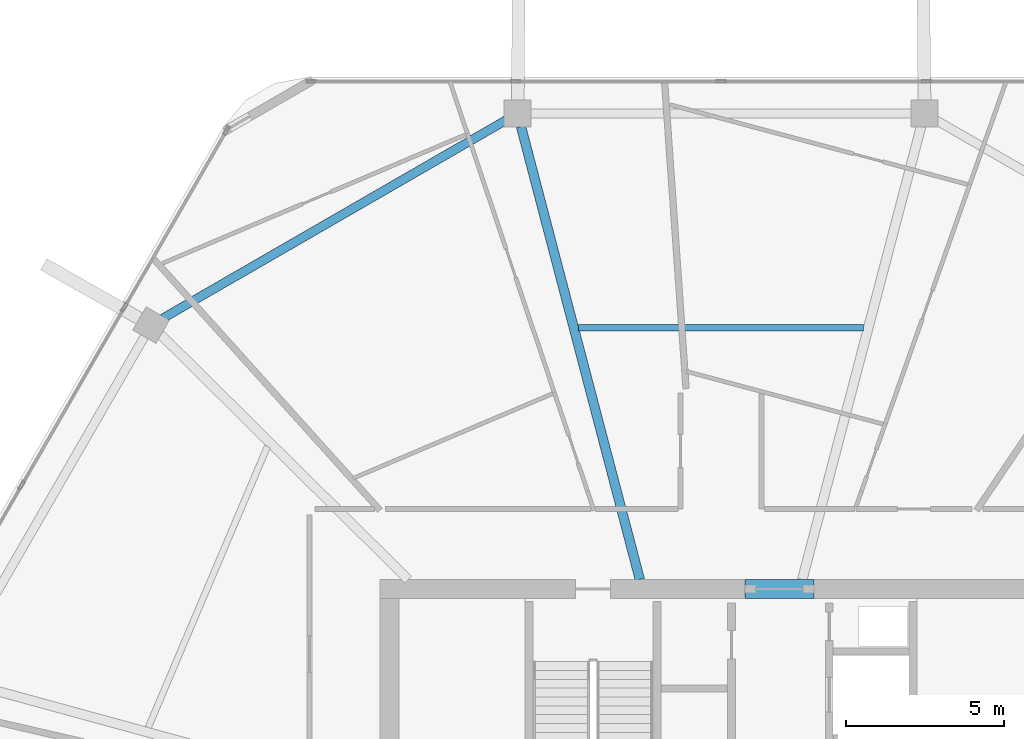
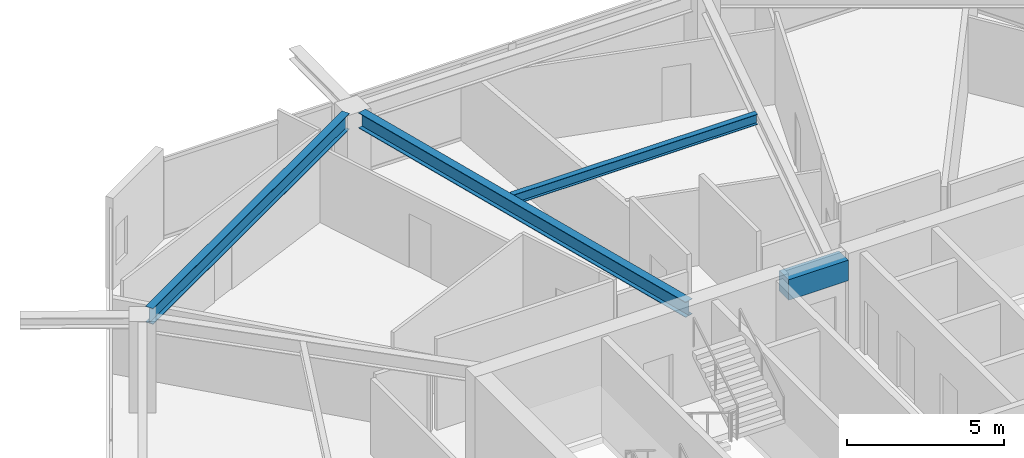
# One storey, part 12 of 26: 4 beams.
"""IFC4 building model written with IfcOpenShell, lengths in metres."""

import ifcopenshell
import ifcopenshell.guid

model = None  # the IFC model being written
_history = None  # IfcOwnerHistory: only IFC2X3 demands one
_inside = {}  # id of a spatial element -> (the spatial element, [elements in it])
_under = {}  # id of a project, library or spatial element -> (it, [spatial elements below it])
_declared = {}  # id of a project -> (the project, [libraries it declares])
_typed = {}  # id of a type object -> (the type object, [elements of that type])
_made_of = {}  # id of a material, layer set ... -> (it, [elements and type objects made of it])


def new_model(schema):
    """Start an empty IFC model of exactly this schema.

    Asked for "IFC4X3", IfcOpenShell would pick the latest addendum, in which some entities
    have other attributes; the version numbers below select the first issue.
    IFC2X3 requires an IfcOwnerHistory on every rooted entity: one is made here for all.
    """
    global model, _history
    if schema == "IFC4X3":
        model = ifcopenshell.file(schema_version=(4, 3, 0, 0))
    else:
        model = ifcopenshell.file(schema=schema)
    _inside.clear()
    _under.clear()
    _declared.clear()
    _typed.clear()
    _made_of.clear()
    _history = None
    if model.schema == "IFC2X3":
        org = make("IfcOrganization", Name="unknown")
        user = make(
            "IfcPersonAndOrganization",
            ThePerson=make("IfcPerson", FamilyName="unknown"),
            TheOrganization=org,
        )
        app = make(
            "IfcApplication",
            ApplicationDeveloper=org,
            Version="unknown",
            ApplicationFullName="unknown",
            ApplicationIdentifier="unknown",
        )
        _history = make(
            "IfcOwnerHistory",
            OwningUser=user,
            OwningApplication=app,
            ChangeAction="ADDED",
            CreationDate=0,
        )
    return model


def make(cls, **values):
    """One entity of the class cls with the attributes given. An attribute that is None is left unset."""
    return model.create_entity(
        cls, **{name: value for name, value in values.items() if value is not None}
    )


def rooted(cls, **values):
    """An entity with a GlobalId (a new one), such as an element, a storey or a relation."""
    return make(cls, GlobalId=ifcopenshell.guid.new(), OwnerHistory=_history, **values)


def si_unit(unit_type, name, prefix=None):
    """IfcSIUnit, for example si_unit("LENGTHUNIT", "METRE", prefix="MILLI")."""
    return make("IfcSIUnit", UnitType=unit_type, Prefix=prefix, Name=name)


def assignment(units):
    """IfcUnitAssignment: the units of a project."""
    return None if units is None else make("IfcUnitAssignment", Units=units)


def point(xyz):
    """IfcCartesianPoint."""
    return None if xyz is None else make("IfcCartesianPoint", Coordinates=xyz)


def direction(xyz):
    """IfcDirection."""
    return None if xyz is None else make("IfcDirection", DirectionRatios=xyz)


def frame(location, z_axis=None, x_axis=None):
    """IfcAxis2Placement3D, a coordinate frame: its origin and axes. An axis left out is left unset."""
    return make(
        "IfcAxis2Placement3D",
        Location=point(location),
        Axis=direction(z_axis),
        RefDirection=direction(x_axis),
    )


def frame_2d(location, x_axis=None):
    """IfcAxis2Placement2D, a coordinate frame in the plane: its origin and x axis."""
    return make(
        "IfcAxis2Placement2D", Location=point(location), RefDirection=direction(x_axis)
    )


def origin():
    """The frame at (0, 0, 0) with its axes left unset."""
    return frame((0.0, 0.0, 0.0))


def origin_2d():
    """The frame at (0, 0) in the plane with its x axis left unset."""
    return frame_2d((0.0, 0.0))


def place(relative_to, where):
    """IfcLocalPlacement: puts the frame where relative to a parent placement (None: the world)."""
    return make(
        "IfcLocalPlacement", PlacementRelTo=relative_to, RelativePlacement=where
    )


def context(
    kind, dimensions, precision=None, world=None, true_north=None, identifier=None
):
    """IfcGeometricRepresentationContext, for example the 3D "Model" context."""
    return make(
        "IfcGeometricRepresentationContext",
        ContextIdentifier=identifier,
        ContextType=kind,
        CoordinateSpaceDimension=dimensions,
        Precision=precision,
        WorldCoordinateSystem=world,
        TrueNorth=true_north,
    )


def subcontext(parent, identifier, kind, view, scale=None):
    """IfcGeometricRepresentationSubContext, for example "Body" below "Model"."""
    return make(
        "IfcGeometricRepresentationSubContext",
        ContextIdentifier=identifier,
        ContextType=kind,
        ParentContext=parent,
        TargetScale=scale,
        TargetView=view,
    )


def project(units=None, contexts=None):
    """IfcProject with its units and contexts."""
    return rooted(
        "IfcProject",
        Name="project",
        RepresentationContexts=contexts,
        UnitsInContext=assignment(units),
    )


def spatial(cls, under=None, at=None, **own):
    """A site, building, storey or space (cls), placed at a placement, below another one or the project."""
    s = rooted(cls, ObjectPlacement=at, **own)
    if under is not None:
        _under.setdefault(under.id(), (under, []))[1].append(s)
    return s


def profile(cls, at=None, kind="AREA", **sizes):
    """A parametric profile (cls). Its sizes go by their IFC names, for example OverallWidth=200.0."""
    return make(cls, ProfileType=kind, Position=at, **sizes)


def rectangle(**sizes):
    """IfcRectangleProfileDef."""
    return profile("IfcRectangleProfileDef", **sizes)


def i_section(**sizes):
    """IfcIShapeProfileDef."""
    return profile("IfcIShapeProfileDef", **sizes)


def extrude(swept, where, along, depth):
    """IfcExtrudedAreaSolid: the profile swept, set in the frame where, extruded along a direction by depth."""
    return make(
        "IfcExtrudedAreaSolid",
        SweptArea=swept,
        Position=where,
        ExtrudedDirection=direction(along),
        Depth=depth,
    )


def shape(context_of_items, identifier, shape_type, items):
    """IfcShapeRepresentation: the items that make up one representation, for example the "Body"."""
    return make(
        "IfcShapeRepresentation",
        ContextOfItems=context_of_items,
        RepresentationIdentifier=identifier,
        RepresentationType=shape_type,
        Items=items,
    )


def material(Name=None, Category=None):
    """IfcMaterial."""
    return make("IfcMaterial", Name=Name, Category=Category)


def material_profile(
    of_material, cross_section, Name=None, Category=None, Priority=None
):
    """IfcMaterialProfile: a cross section and its material."""
    return make(
        "IfcMaterialProfile",
        Name=Name,
        Material=of_material,
        Profile=cross_section,
        Priority=Priority,
        Category=Category,
    )


def profile_set(profiles, Name=None, composite=None):
    """IfcMaterialProfileSet."""
    return make(
        "IfcMaterialProfileSet",
        Name=Name,
        MaterialProfiles=profiles,
        CompositeProfile=composite,
    )


def made_of(thing, what):
    """Note that an element or type object is made of a material, layer set ...; save() writes the relation."""
    if what is not None:
        _made_of.setdefault(what.id(), (what, []))[1].append(thing)
    return thing


def type_object(cls, material=None, **own):
    """A type object (cls), such as IfcWallType, which elements share."""
    return made_of(rooted(cls, **own), material)


def element(
    cls,
    number,
    at=None,
    inside=None,
    cuts=None,
    type_object=None,
    material=None,
    context=None,
    identifier="Body",
    shape_type=None,
    held_by="IfcProductDefinitionShape",
    body=None,
    shapes=None,
    **own,
):
    """One element of the class cls, such as IfcWall. Its Tag is "e" and its number.

    at: its placement. inside: the storey or other place that contains it. cuts: it is an
    opening in that element (IfcRelVoidsElement). A single representation is given by context,
    identifier, shape_type and body (its items); several are given by shapes. held_by: the class
    of the entity that holds the representations. save() writes the other relations.
    """
    e = rooted(cls, Tag="e%d" % number, ObjectPlacement=at, **own)
    if body is not None:
        shapes = [shape(context, identifier, shape_type, body)]
    if shapes is not None:
        e.Representation = make(held_by, Representations=shapes)
    if inside is not None:
        _inside.setdefault(inside.id(), (inside, []))[1].append(e)
    if cuts is not None:
        rooted(
            "IfcRelVoidsElement", RelatingBuildingElement=cuts, RelatedOpeningElement=e
        )
    if type_object is not None:
        _typed.setdefault(type_object.id(), (type_object, []))[1].append(e)
    return made_of(e, material)


def aggregate(whole, parts):
    """IfcRelAggregates: a whole, such as a stair, and the parts it consists of."""
    return rooted("IfcRelAggregates", RelatingObject=whole, RelatedObjects=parts)


def save(model, path):
    """Write the relations noted so far, then the file.

    IfcRelAggregates (storeys below a building ...), IfcRelContainedInSpatialStructure (elements
    in a storey), IfcRelDefinesByType, IfcRelAssociatesMaterial and IfcRelDeclares: one each for
    every whole, place, type object, material and project.
    """
    for whole, parts in _under.values():
        aggregate(whole, parts)
    for where, things in _inside.values():
        rooted(
            "IfcRelContainedInSpatialStructure",
            RelatedElements=things,
            RelatingStructure=where,
        )
    for kind, things in _typed.values():
        rooted("IfcRelDefinesByType", RelatedObjects=things, RelatingType=kind)
    for what, things in _made_of.values():
        rooted("IfcRelAssociatesMaterial", RelatedObjects=things, RelatingMaterial=what)
    for by, libraries in _declared.values():
        rooted("IfcRelDeclares", RelatingContext=by, RelatedDefinitions=libraries)
    model.write(path)


model = new_model("IFC4")

# Units and contexts
model_context = context("Model", 3, precision=1e-05, world=origin(), true_north=direction((0.0, 1.0)))
body_context = subcontext(model_context, "Body", "Model", "MODEL_VIEW")
ifc_project = project(units=[si_unit("LENGTHUNIT", "METRE"), si_unit("AREAUNIT", "SQUARE_METRE"), si_unit("VOLUMEUNIT", "CUBIC_METRE"), si_unit("PLANEANGLEUNIT", "RADIAN"), si_unit("MASSUNIT", "GRAM", prefix="KILO")], contexts=[model_context])

# Site, building, storey
site_placement = place(None, origin())
site = spatial("IfcSite", under=ifc_project, at=site_placement, CompositionType="ELEMENT")
building_placement = place(site_placement, origin())
building = spatial("IfcBuilding", under=site, at=building_placement, Name="Zuhravey Tower", CompositionType="ELEMENT")
storey_placement = place(building_placement, frame((0.0, 0.0, 295.800048828125)))
storey = spatial("IfcBuildingStorey", under=building, at=storey_placement, Name="L75", CompositionType="ELEMENT", Elevation=295.800048828125)

# Beams
ifc_material_1 = material(Name="Concrete C50/60", Category="concrete")
ifc_material_profile_1 = material_profile(ifc_material_1, rectangle(XDim=0.60009765625, YDim=0.800048828125, at=origin_2d()), Name="RC-600x800")
ifc_profile_set_1 = profile_set([ifc_material_profile_1], Name="Concrete C50/60")
beam_type_1 = type_object("IfcBeamType", Name="Core Coupling Beam RC600x800", PredefinedType="LINTEL", material=ifc_profile_set_1)
beam_1_placement = place(storey_placement, frame((36.751953125, 41.5, 3.14990234375), z_axis=(1.0, 0.0, 0.0), x_axis=(0.0, 1.0, 0.0)))
element("IfcBeam", 1, at=beam_1_placement, inside=storey, type_object=beam_type_1, Name="L75 CB2 BM-L75-CB-N", PredefinedType="LINTEL", context=body_context, shape_type="SweptSolid", body=[
    extrude(rectangle(XDim=0.60009765625, YDim=0.800048828125, at=origin_2d()), origin(), (0.0, 0.0, 1.0), 2.196044921875),
])
ifc_material_2 = material(Name="Steel SM355", Category="steel")
ifc_material_profile_2 = material_profile(ifc_material_2, i_section(OverallWidth=0.280029296875, OverallDepth=0.6201171875, WebThickness=0.011962890625, FlangeThickness=0.02001953125, at=origin_2d()), Name="H-620x280x12x20")
ifc_profile_set_2 = profile_set([ifc_material_profile_2], Name="Steel SM355")
beam_type_2 = type_object("IfcBeamType", Name="Perimeter Ring Beam H620x280", PredefinedType="BEAM", material=ifc_profile_set_2)
beam_2_placement = place(storey_placement, frame((29.1884765625, 56.339599609375, 3.239990234375), z_axis=(-0.866018312875, -0.500012281615, 0.0), x_axis=(0.500012281615, -0.866018312875, 0.0)))
element("IfcBeam", 2, at=beam_2_placement, inside=storey, type_object=beam_type_2, Name="L75 PB3 BM-L75-PB-04", PredefinedType="BEAM", context=body_context, shape_type="SweptSolid", body=[
    extrude(i_section(OverallWidth=0.280029296875, OverallDepth=0.6201171875, WebThickness=0.011962890625, FlangeThickness=0.02001953125, at=origin_2d()), origin(), (0.0, 0.0, 1.0), 12.541748046875),
])
ifc_material_profile_3 = material_profile(ifc_material_2, i_section(OverallWidth=0.300048828125, OverallDepth=0.60009765625, WebThickness=0.011962890625, FlangeThickness=0.02001953125, at=origin_2d()), Name="H-600x300x12x20")
ifc_profile_set_3 = profile_set([ifc_material_profile_3], Name="Steel SM355")
beam_type_3 = type_object("IfcBeamType", Name="Radial Primary Girder H600x300", PredefinedType="BEAM", material=ifc_profile_set_3)
beam_3_placement = place(storey_placement, frame((33.428466796875, 41.802978515625, 3.25), z_axis=(-0.25373188956, 0.967274587809, 0.0), x_axis=(-0.967274587809, -0.25373188956, 0.0)))
element("IfcBeam", 3, at=beam_3_placement, inside=storey, type_object=beam_type_3, Name="L75 RG3 BM-L75-RAD-04", PredefinedType="BEAM", context=body_context, shape_type="SweptSolid", body=[
    extrude(i_section(OverallWidth=0.300048828125, OverallDepth=0.60009765625, WebThickness=0.011962890625, FlangeThickness=0.02001953125, at=origin_2d()), origin(), (0.0, 0.0, 1.0), 14.82177734375),
])
ifc_material_profile_4 = material_profile(ifc_material_2, i_section(OverallWidth=0.199951171875, OverallDepth=0.39990234375, WebThickness=0.008056640625, FlangeThickness=0.012939453125, at=origin_2d()), Name="H-400x200x8x13")
ifc_profile_set_4 = profile_set([ifc_material_profile_4], Name="Steel SM355")
beam_type_4 = type_object("IfcBeamType", Name="Secondary Floor Joist H400x200", PredefinedType="JOIST", material=ifc_profile_set_4)
beam_4_placement = place(storey_placement, frame((40.507080078125, 49.768310546875, 3.349853515625), z_axis=(-1.0, 0.0, 0.0), x_axis=(0.0, -1.0, 0.0)))
element("IfcBeam", 4, at=beam_4_placement, inside=storey, type_object=beam_type_4, Name="L75 SJ2 BM-L75-SJ-03-1", PredefinedType="JOIST", context=body_context, shape_type="SweptSolid", body=[
    extrude(i_section(OverallWidth=0.199951171875, OverallDepth=0.39990234375, WebThickness=0.008056640625, FlangeThickness=0.012939453125, at=origin_2d()), origin(), (0.0, 0.0, 1.0), 9.01416015625),
])

save(model, "model.ifc")
